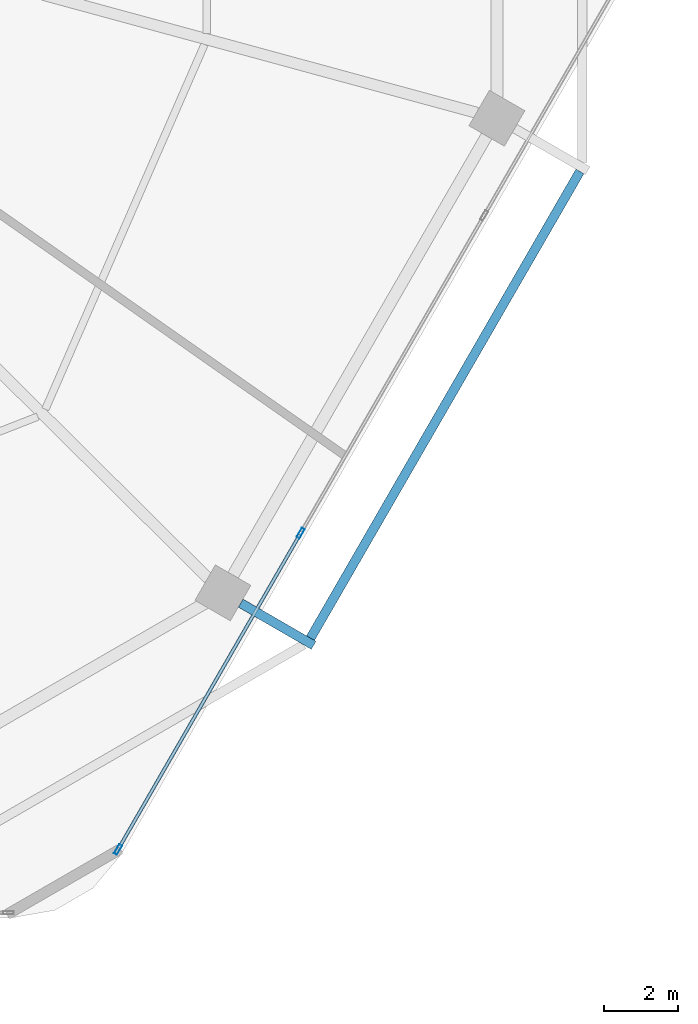
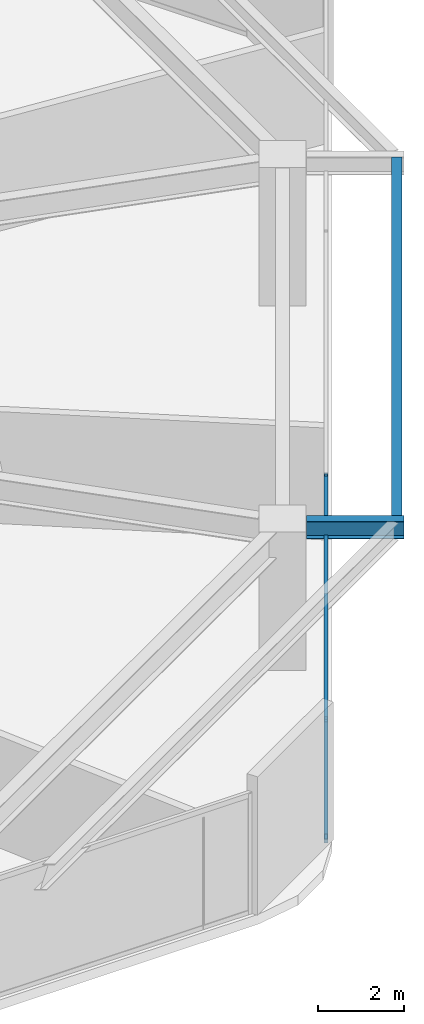
# One storey, part 9 of 28: 4 members, 2 beams, 1 element without a shape of its own.
"""IFC4 building model written with IfcOpenShell, lengths in metres."""

from ifc_helpers import new_model, si_unit, direction, frame, origin, origin_2d, place, context, subcontext, project, spatial, hollow_rectangle, i_section, extrude, material, material_profile, profile_set, type_object, element, aggregate, save


model = new_model("IFC4")

# Units and contexts
model_context = context("Model", 3, precision=1e-05, world=origin(), true_north=direction((0.0, 1.0)))
body_context = subcontext(model_context, "Body", "Model", "MODEL_VIEW")
ifc_project = project(units=[si_unit("LENGTHUNIT", "METRE"), si_unit("AREAUNIT", "SQUARE_METRE"), si_unit("VOLUMEUNIT", "CUBIC_METRE"), si_unit("PLANEANGLEUNIT", "RADIAN"), si_unit("MASSUNIT", "GRAM", prefix="KILO")], contexts=[model_context])

# Site, building, storey
site_placement = place(None, origin())
site = spatial("IfcSite", under=ifc_project, at=site_placement, CompositionType="ELEMENT")
building_placement = place(site_placement, origin())
building = spatial("IfcBuilding", under=site, at=building_placement, Name="Zuhravey Tower", CompositionType="ELEMENT")
storey_placement = place(building_placement, frame((0.0, 0.0, 79.199951171875)))
storey = spatial("IfcBuildingStorey", under=building, at=storey_placement, Name="L19", CompositionType="ELEMENT", Elevation=79.199951171875)

# Curtain wall, members
ifc_material_1 = material(Name="Thermally broken anodised aluminium", Category="aluminium")
curtain_wall_type = type_object("IfcCurtainWallType", Name="School Low-E Unitised Curtain Wall CW1", PredefinedType="NOTDEFINED", material=ifc_material_1)
curtain_wall_placement = place(storey_placement, origin())
curtain_wall = element("IfcCurtainWall", 1, at=curtain_wall_placement, inside=storey, type_object=curtain_wall_type, Name="L19 CW1 CW-L19-F6-1", PredefinedType="NOTDEFINED")
ifc_material_2 = material(Name="Anodised aluminium", Category="aluminium")
ifc_material_profile_1 = material_profile(ifc_material_2, hollow_rectangle(XDim=0.090087890625, YDim=0.284912109375, WallThickness=0.0048828125, at=origin_2d()), Name="ALU-RHS-90x285x5")
ifc_profile_set_1 = profile_set([ifc_material_profile_1], Name="Anodised aluminium")
member_type_1 = type_object("IfcMemberType", Name="Curtain-Wall Mullion 90x180", PredefinedType="MULLION", material=ifc_profile_set_1)
member_1_placement = place(storey_placement, frame((58.612060546875, 13.24853515625, 0.0), z_axis=(0.0, 0.0, 1.0), x_axis=(0.86602552265, -0.499999794119, 0.0)))
member_1 = element("IfcMember", 2, at=member_1_placement, type_object=member_type_1, Name="CW1 mullion 3", PredefinedType="MULLION", context=body_context, shape_type="SweptSolid", body=[
    extrude(hollow_rectangle(XDim=0.090087890625, YDim=0.284912109375, WallThickness=0.0048828125, at=origin_2d()), origin(), (0.0, 0.0, 1.0), 3.420166015625),
])
member_2_placement = place(storey_placement, frame((53.701416015625, 4.742919921875, 0.0), z_axis=(0.0, 0.0, 1.0), x_axis=(0.86602552265, -0.499999794119, 0.0)))
member_2 = element("IfcMember", 3, at=member_2_placement, type_object=member_type_1, Name="CW1 mullion 4", PredefinedType="MULLION", context=body_context, shape_type="SweptSolid", body=[
    extrude(hollow_rectangle(XDim=0.090087890625, YDim=0.284912109375, WallThickness=0.0048828125, at=origin_2d()), origin(), (0.0, 0.0, 1.0), 3.420166015625),
])
ifc_material_profile_2 = material_profile(ifc_material_2, hollow_rectangle(XDim=0.090087890625, YDim=0.14990234375, WallThickness=0.0048828125, at=origin_2d()), Name="ALU-RHS-90x150x5")
ifc_profile_set_2 = profile_set([ifc_material_profile_2], Name="Anodised aluminium")
member_type_2 = type_object("IfcMemberType", Name="Curtain-Wall Transom 90x150", PredefinedType="USERDEFINED", material=ifc_profile_set_2)
member_3_placement = place(storey_placement, frame((58.589599609375, 13.20947265625, 0.045166015625), z_axis=(-0.499989576763, -0.86603142156, 0.0), x_axis=(0.86603142156, -0.499989576763, 0.0)))
member_3 = element("IfcMember", 4, at=member_3_placement, type_object=member_type_2, Name="CW1 transom 3.1", ObjectType="TRANSOM", PredefinedType="USERDEFINED", context=body_context, shape_type="SweptSolid", body=[
    extrude(hollow_rectangle(XDim=0.090087890625, YDim=0.14990234375, WallThickness=0.0048828125, at=origin_2d()), origin(), (0.0, 0.0, 1.0), 9.731201171875),
])
member_4_placement = place(storey_placement, frame((58.589599609375, 13.20947265625, 3.375), z_axis=(-0.499989576763, -0.86603142156, 0.0), x_axis=(0.86603142156, -0.499989576763, 0.0)))
member_4 = element("IfcMember", 5, at=member_4_placement, type_object=member_type_2, Name="CW1 transom 3.2", ObjectType="TRANSOM", PredefinedType="USERDEFINED", context=body_context, shape_type="SweptSolid", body=[
    extrude(hollow_rectangle(XDim=0.090087890625, YDim=0.14990234375, WallThickness=0.0048828125, at=origin_2d()), origin(), (0.0, 0.0, 1.0), 9.731201171875),
])
aggregate(curtain_wall, [member_1, member_2, member_3, member_4])

# Beams
ifc_material_3 = material(Name="Steel SM355", Category="steel")
ifc_material_profile_3 = material_profile(ifc_material_3, i_section(OverallWidth=0.25, OverallDepth=0.5, WebThickness=0.010009765625, FlangeThickness=0.01611328125, at=origin_2d()), Name="H-500x250x10x16")
ifc_profile_set_3 = profile_set([ifc_material_profile_3], Name="Steel SM355")
beam_type = type_object("IfcBeamType", Name="Tray Cantilever Spandrel H500x250", PredefinedType="SPANDREL", material=ifc_profile_set_3)
beam_1_placement = place(storey_placement, frame((56.998779296875, 11.3662109375, 3.670166015625), z_axis=(0.866013342106, -0.500020890858, 0.0), x_axis=(0.500020890858, 0.866013342106, 0.0)))
element("IfcBeam", 6, at=beam_1_placement, inside=storey, type_object=beam_type, Name="L19 Sky-Tray Cantilever Arm TSB1-R11", PredefinedType="SPANDREL", context=body_context, shape_type="SweptSolid", body=[
    extrude(i_section(OverallWidth=0.25, OverallDepth=0.5, WebThickness=0.010009765625, FlangeThickness=0.01611328125, at=origin_2d()), origin(), (0.0, 0.0, 1.0), 2.26611328125),
])
beam_2_placement = place(storey_placement, frame((58.87548828125, 10.424560546875, 3.670166015625), z_axis=(0.500001430823, 0.866024577697, 0.0), x_axis=(-0.866024577697, 0.500001430823, 0.0)))
element("IfcBeam", 7, at=beam_2_placement, inside=storey, type_object=beam_type, Name="L19 Sky-Tray Edge Spandrel TSB1-11", PredefinedType="SPANDREL", context=body_context, shape_type="SweptSolid", body=[
    extrude(i_section(OverallWidth=0.25, OverallDepth=0.5, WebThickness=0.010009765625, FlangeThickness=0.01611328125, at=origin_2d()), origin(), (0.0, 0.0, 1.0), 14.494140625),
])

save(model, "model.ifc")
